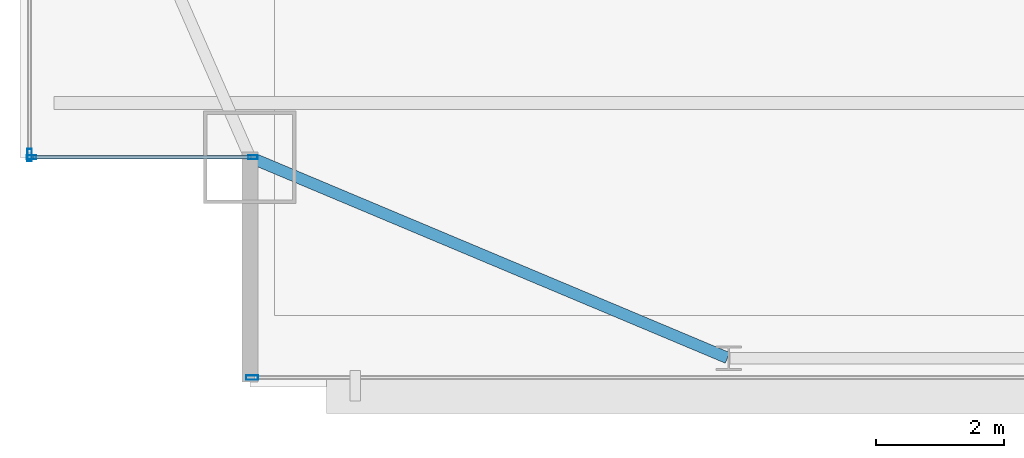
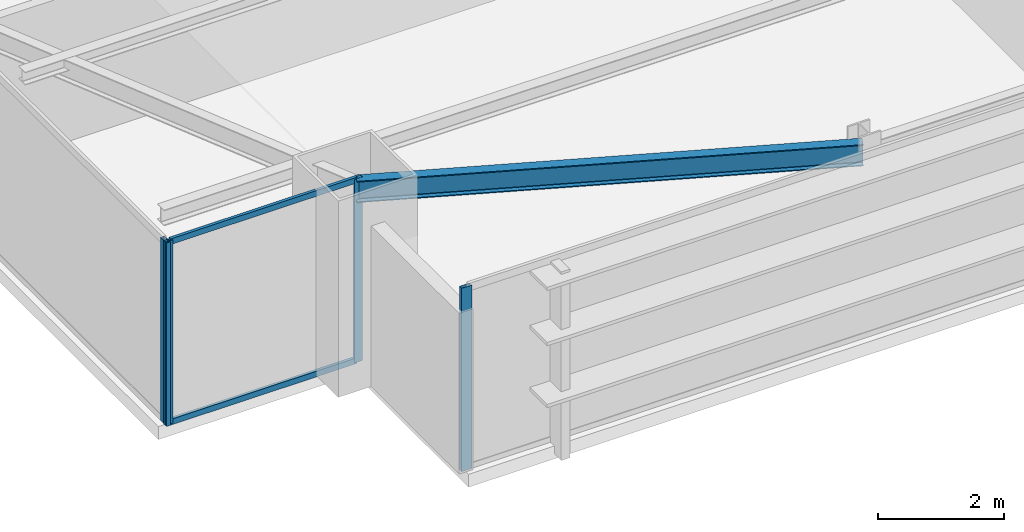
# One storey, part 4 of 33: 6 members, 1 beam, 3 elements without a shape of their own.
"""IFC4 building model written with IfcOpenShell, lengths in metres."""

from ifc_helpers import new_model, si_unit, direction, frame, origin, origin_2d, place, context, subcontext, project, spatial, hollow_rectangle, i_section, extrude, source, transform, mapped, material, layer, layer_set, material_profile, profile_set, type_object, type_shapes, element, aggregate, save


model = new_model("IFC4")

# Units and contexts
model_context = context("Model", 3, precision=1e-05, world=origin(), true_north=direction((0.0, 1.0)))
body_context = subcontext(model_context, "Body", "Model", "MODEL_VIEW")
ifc_project = project(units=[si_unit("LENGTHUNIT", "METRE"), si_unit("AREAUNIT", "SQUARE_METRE"), si_unit("VOLUMEUNIT", "CUBIC_METRE"), si_unit("PLANEANGLEUNIT", "RADIAN"), si_unit("MASSUNIT", "GRAM", prefix="KILO")], contexts=[model_context])

# Site, building, storey
site_placement = place(None, origin())
site = spatial("IfcSite", under=ifc_project, at=site_placement, CompositionType="ELEMENT")
building_placement = place(site_placement, origin())
building = spatial("IfcBuilding", under=site, at=building_placement, Name="Varnel Quay Broadcast Tower", CompositionType="ELEMENT")
storey_placement = place(building_placement, frame((0.0, 0.0, 129.60009765625)))
storey = spatial("IfcBuildingStorey", under=building, at=storey_placement, Name="L31", CompositionType="ELEMENT", Elevation=129.60009765625)

# Beam
ifc_material_1 = material(Name="Structural Steel CSA G40.21 350W", Category="steel")
ifc_material_profile_1 = material_profile(ifc_material_1, i_section(OverallWidth=0.180908203125, OverallDepth=0.4169921875, WebThickness=0.010986328125, FlangeThickness=0.018310546875, FilletRadius=0.011962890625, at=origin_2d()), Name="W410X85")
ifc_profile_set_1 = profile_set([ifc_material_profile_1], Name="Structural Steel CSA G40.21 350W")
beam_type = type_object("IfcBeamType", Name="Beam_W410X85", PredefinedType="SPANDREL", material=ifc_profile_set_1)
shared_shape_1 = source(origin(), body_context, "Body", "SweptSolid", [
    extrude(i_section(OverallWidth=0.180908203125, OverallDepth=0.4169921875, WebThickness=0.010986328125, FlangeThickness=0.018310546875, FilletRadius=0.011962890625, at=origin_2d()), origin(), (0.0, 0.0, 1.0), 8.0947265625),
])
type_shapes(beam_type, [shared_shape_1])
beam_placement = place(storey_placement, frame((8.118408203125, 7.792236328125, 3.34130859375), z_axis=(0.921981890247, -0.387232997117, 0.0), x_axis=(0.387232997117, 0.921981890247, 0.0)))
element("IfcBeam", 1, at=beam_placement, inside=storey, type_object=beam_type, Name="L31 South Spandrel MC-SW-TC-S1", PredefinedType="SPANDREL", context=body_context, shape_type="MappedRepresentation", body=[
    mapped(shared_shape_1, transform((0.0, 0.0, 0.0), x_axis=(1.0, 0.0, 0.0), y_axis=(0.0, 1.0, 0.0), z_axis=(0.0, 0.0, 1.0), scale=1.0)),
])

# Curtain wall, members
ifc_material_2 = material(Name="Anodised Bronze Aluminium 6063-T6", Category="aluminium")
ifc_layer_1 = layer(ifc_material_2, 0.18994140625, Name="Anodised Bronze Aluminium 6063-T6")
ifc_layer_set_1 = layer_set([ifc_layer_1], Name="Anodised Bronze Aluminium 6063-T6")
curtain_wall_type_1 = type_object("IfcCurtainWallType", Name="CW_NotchCorner", PredefinedType="NOTDEFINED", material=ifc_layer_set_1)
curtain_wall_1_placement = place(storey_placement, origin())
curtain_wall_1 = element("IfcCurtainWall", 2, at=curtain_wall_1_placement, inside=storey, type_object=curtain_wall_type_1, Name="L31 SW Notch Curtain Wall", PredefinedType="NOTDEFINED")
ifc_material_profile_2 = material_profile(ifc_material_2, hollow_rectangle(XDim=0.054931640625, YDim=0.110107421875, WallThickness=0.0029296875, at=origin_2d()), Name="ALU55X110X3")
ifc_profile_set_2 = profile_set([ifc_material_profile_2], Name="Anodised Bronze Aluminium 6063-T6")
member_type_1 = type_object("IfcMemberType", Name="Tran_CWS-04", PredefinedType="USERDEFINED", material=ifc_profile_set_2)
shared_shape_2 = source(origin(), body_context, "Body", "SweptSolid", [
    extrude(hollow_rectangle(XDim=0.054931640625, YDim=0.110107421875, WallThickness=0.0029296875, at=origin_2d()), origin(), (0.0, 0.0, 1.0), 3.41015625),
])
type_shapes(member_type_1, [shared_shape_2])
member_1_placement = place(storey_placement, frame((4.7099609375, 7.800048828125, 0.02734375), z_axis=(1.0, 0.0, 0.0), x_axis=(0.0, 1.0, 0.0)))
member_1 = element("IfcMember", 3, at=member_1_placement, type_object=member_type_1, Name="CWS-04 transom 1.1", ObjectType="TRANSOM", PredefinedType="USERDEFINED", context=body_context, shape_type="MappedRepresentation", body=[
    mapped(shared_shape_2, transform((0.0, 0.0, 0.0), x_axis=(1.0, 0.0, 0.0), y_axis=(0.0, 1.0, 0.0), z_axis=(0.0, 0.0, 1.0), scale=1.0)),
])
member_2_placement = place(storey_placement, frame((4.7099609375, 7.800048828125, 3.5224609375), z_axis=(1.0, 0.0, 0.0), x_axis=(0.0, 1.0, 0.0)))
member_2 = element("IfcMember", 4, at=member_2_placement, type_object=member_type_1, Name="CWS-04 transom 1.2", ObjectType="TRANSOM", PredefinedType="USERDEFINED", context=body_context, shape_type="MappedRepresentation", body=[
    mapped(shared_shape_2, transform((0.0, 0.0, 0.0), x_axis=(1.0, 0.0, 0.0), y_axis=(0.0, 1.0, 0.0), z_axis=(0.0, 0.0, 1.0), scale=1.0)),
])

# Curtain wall, member
ifc_layer_2 = layer(ifc_material_2, 0.18994140625, Name="Anodised Bronze Aluminium 6063-T6")
ifc_layer_set_2 = layer_set([ifc_layer_2], Name="Anodised Bronze Aluminium 6063-T6")
curtain_wall_type_2 = type_object("IfcCurtainWallType", Name="CW_LowerTower", PredefinedType="NOTDEFINED", material=ifc_layer_set_2)
curtain_wall_2_placement = place(storey_placement, origin())
curtain_wall_2 = element("IfcCurtainWall", 5, at=curtain_wall_2_placement, inside=storey, type_object=curtain_wall_type_2, Name="L31 South Unitised Curtain Wall 1", PredefinedType="NOTDEFINED")
ifc_material_profile_3 = material_profile(ifc_material_2, hollow_rectangle(XDim=0.070068359375, YDim=0.18994140625, WallThickness=0.00390625, at=origin_2d()), Name="ALU70X190X4")
ifc_profile_set_3 = profile_set([ifc_material_profile_3], Name="Anodised Bronze Aluminium 6063-T6")
member_type_2 = type_object("IfcMemberType", Name="Mull_CWS-02", PredefinedType="MULLION", material=ifc_profile_set_3)
shared_shape_3 = source(origin(), body_context, "Body", "SweptSolid", [
    extrude(hollow_rectangle(XDim=0.070068359375, YDim=0.18994140625, WallThickness=0.00390625, at=origin_2d()), origin(), (0.0, 0.0, 1.0), 3.5498046875),
])
type_shapes(member_type_2, [shared_shape_3])
member_3_placement = place(storey_placement, frame((8.135009765625, 4.35009765625, 0.0), z_axis=(0.0, 0.0, 1.0), x_axis=(0.0, 1.0, 0.0)))
member_3 = element("IfcMember", 6, at=member_3_placement, type_object=member_type_2, Name="CWS-02 mullion 1", PredefinedType="MULLION", context=body_context, shape_type="MappedRepresentation", body=[
    mapped(shared_shape_3, transform((0.0, 0.0, 0.0), x_axis=(1.0, 0.0, 0.0), y_axis=(0.0, 1.0, 0.0), z_axis=(0.0, 0.0, 1.0), scale=1.0)),
])
aggregate(curtain_wall_2, [member_3])

curtain_wall_3_placement = place(storey_placement, origin())
curtain_wall_3 = element("IfcCurtainWall", 7, at=curtain_wall_3_placement, inside=storey, type_object=curtain_wall_type_2, Name="L31 West Unitised Curtain Wall", PredefinedType="NOTDEFINED")
member_4_placement = place(storey_placement, frame((4.64990234375, 7.8349609375, 0.0), z_axis=(0.0, 0.0, 1.0), x_axis=(-1.0, 0.0, 0.0)))
member_4 = element("IfcMember", 8, at=member_4_placement, type_object=member_type_2, Name="CWS-02 mullion 1", PredefinedType="MULLION", context=body_context, shape_type="MappedRepresentation", body=[
    mapped(shared_shape_3, transform((0.0, 0.0, 0.0), x_axis=(1.0, 0.0, 0.0), y_axis=(0.0, 1.0, 0.0), z_axis=(0.0, 0.0, 1.0), scale=1.0)),
])
aggregate(curtain_wall_3, [member_4])

# Member
ifc_material_profile_4 = material_profile(ifc_material_2, hollow_rectangle(XDim=0.06005859375, YDim=0.14501953125, WallThickness=0.00341796875, at=origin_2d()), Name="ALU60X145X3.5")
ifc_profile_set_4 = profile_set([ifc_material_profile_4], Name="Anodised Bronze Aluminium 6063-T6")
member_type_3 = type_object("IfcMemberType", Name="Mull_CWS-04", PredefinedType="MULLION", material=ifc_profile_set_4)
shared_shape_4 = source(origin(), body_context, "Body", "SweptSolid", [
    extrude(hollow_rectangle(XDim=0.06005859375, YDim=0.14501953125, WallThickness=0.00341796875, at=origin_2d()), origin(), (0.0, 0.0, 1.0), 3.5498046875),
])
type_shapes(member_type_3, [shared_shape_4])
member_5_placement = place(storey_placement, frame((4.679931640625, 7.800048828125, 0.0), z_axis=(0.0, 0.0, 1.0), x_axis=(0.0, 1.0, 0.0)))
member_5 = element("IfcMember", 9, at=member_5_placement, type_object=member_type_3, Name="CWS-04 mullion 1", PredefinedType="MULLION", context=body_context, shape_type="MappedRepresentation", body=[
    mapped(shared_shape_4, transform((0.0, 0.0, 0.0), x_axis=(1.0, 0.0, 0.0), y_axis=(0.0, 1.0, 0.0), z_axis=(0.0, 0.0, 1.0), scale=1.0)),
])

member_6_placement = place(storey_placement, frame((8.14990234375, 7.800048828125, 0.0), z_axis=(0.0, 0.0, 1.0), x_axis=(0.0, 1.0, 0.0)))
member_6 = element("IfcMember", 10, at=member_6_placement, type_object=member_type_3, Name="CWS-04 mullion 2", PredefinedType="MULLION", context=body_context, shape_type="MappedRepresentation", body=[
    mapped(shared_shape_4, transform((0.0, 0.0, 0.0), x_axis=(1.0, 0.0, 0.0), y_axis=(0.0, 1.0, 0.0), z_axis=(0.0, 0.0, 1.0), scale=1.0)),
])

aggregate(curtain_wall_1, [member_5, member_6, member_1, member_2])

save(model, "model.ifc")
